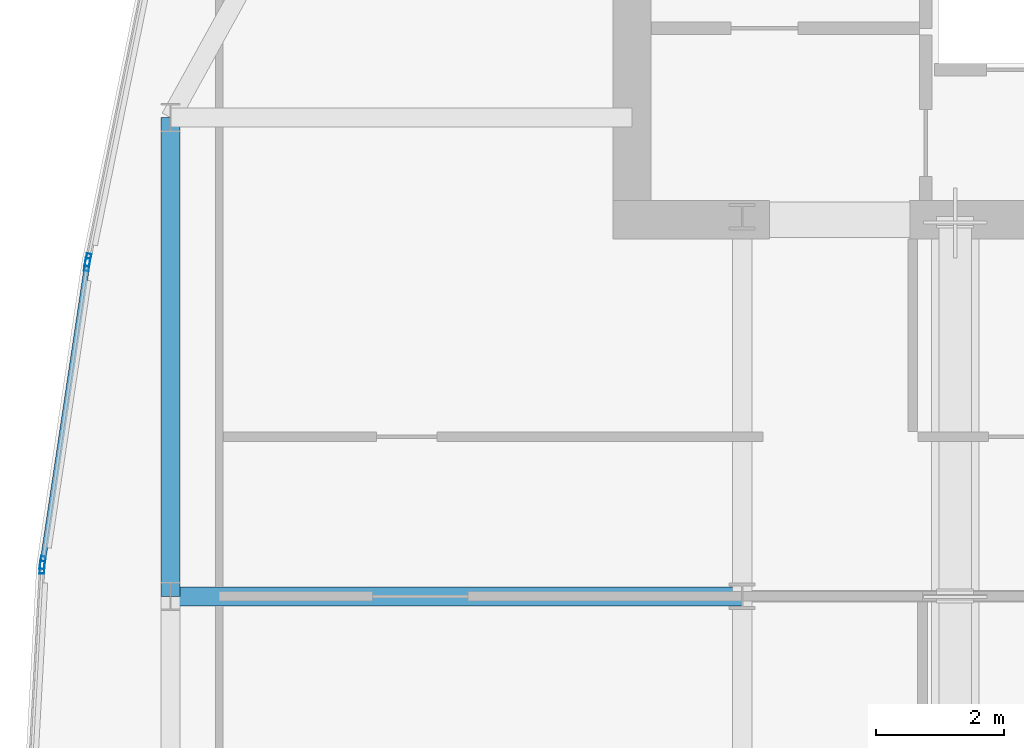
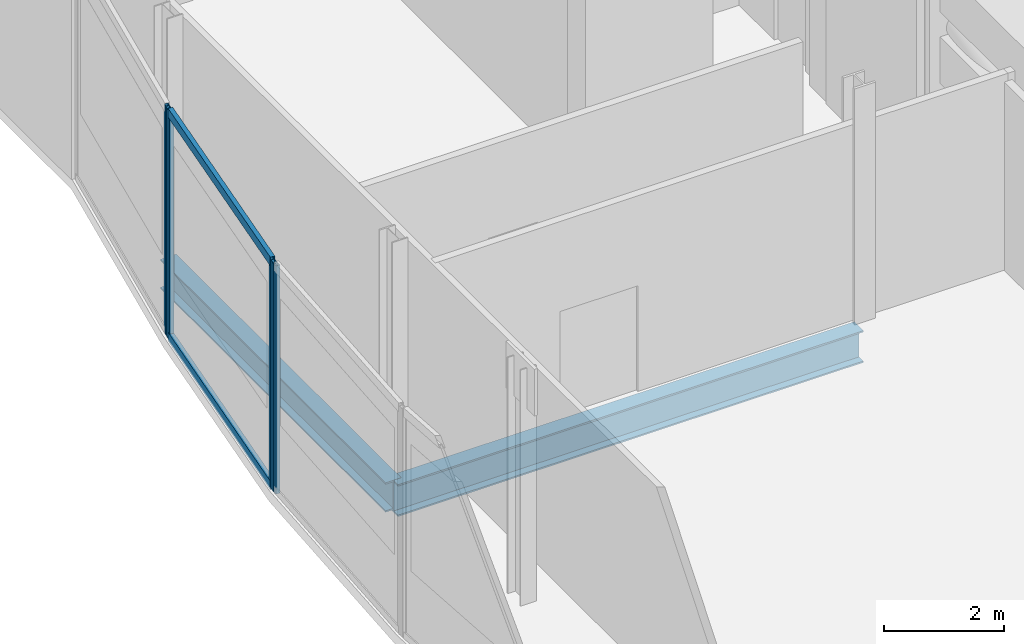
# One storey, part 14 of 32: 6 members, 2 beams, 3 elements without a shape of their own.
"""IFC4 building model written with IfcOpenShell, lengths in metres."""

from ifc_helpers import new_model, si_unit, direction, frame, origin, origin_2d, place, context, subcontext, project, spatial, hollow_rectangle, i_section, extrude, material, material_profile, profile_set, type_object, element, aggregate, save


model = new_model("IFC4")

# Units and contexts
model_context = context("Model", 3, precision=1e-05, world=origin(), true_north=direction((0.0, 1.0)))
body_context = subcontext(model_context, "Body", "Model", "MODEL_VIEW")
ifc_project = project(units=[si_unit("LENGTHUNIT", "METRE"), si_unit("AREAUNIT", "SQUARE_METRE"), si_unit("VOLUMEUNIT", "CUBIC_METRE"), si_unit("PLANEANGLEUNIT", "RADIAN"), si_unit("MASSUNIT", "GRAM", prefix="KILO")], contexts=[model_context])

# Site, building, storey
site_placement = place(None, origin())
site = spatial("IfcSite", under=ifc_project, at=site_placement, CompositionType="ELEMENT")
building_placement = place(site_placement, origin())
building = spatial("IfcBuilding", under=site, at=building_placement, Name="Khoronbel Lancet Exchange", CompositionType="ELEMENT")
storey_placement = place(building_placement, frame((0.0, 0.0, 257.0)))
storey = spatial("IfcBuildingStorey", under=building, at=storey_placement, Name="L66", CompositionType="ELEMENT", Elevation=257.0)

# Beams
ifc_material_1 = material(Name="Steel S355", Category="steel")
ifc_material_profile_1 = material_profile(ifc_material_1, i_section(OverallWidth=0.300048828125, OverallDepth=0.64990234375, WebThickness=0.01611328125, FlangeThickness=0.031005859375, at=origin_2d()), Name="HEB 650")
ifc_profile_set_1 = profile_set([ifc_material_profile_1], Name="Steel S355")
beam_type_1 = type_object("IfcBeamType", Name="BM-BG4", PredefinedType="BEAM", material=ifc_profile_set_1)
beam_1_placement = place(storey_placement, frame((9.27001953125, 35.699951171875, -0.544921875), z_axis=(1.0, 0.0, 0.0), x_axis=(0.0, 1.0, 0.0)))
element("IfcBeam", 1, at=beam_1_placement, inside=storey, type_object=beam_type_1, Name="Level L66 west lens tie girder LG4W", PredefinedType="BEAM", context=body_context, shape_type="SweptSolid", body=[
    extrude(i_section(OverallWidth=0.300048828125, OverallDepth=0.64990234375, WebThickness=0.01611328125, FlangeThickness=0.031005859375, at=origin_2d()), origin(), (0.0, 0.0, 1.0), 8.955078125),
])
ifc_material_profile_2 = material_profile(ifc_material_1, i_section(OverallWidth=0.300048828125, OverallDepth=0.60009765625, WebThickness=0.015380859375, FlangeThickness=0.030029296875, at=origin_2d()), Name="HEB 600")
ifc_profile_set_2 = profile_set([ifc_material_profile_2], Name="Steel S355")
beam_type_2 = type_object("IfcBeamType", Name="BM-BSP2", PredefinedType="SPANDREL", material=ifc_profile_set_2)
beam_2_placement = place(storey_placement, frame((9.27001953125, 43.199951171875, -0.52001953125), z_axis=(0.0, -1.0, 0.0), x_axis=(1.0, 0.0, 0.0)))
element("IfcBeam", 2, at=beam_2_placement, inside=storey, type_object=beam_type_2, Name="Level L66 perimeter spandrel beam SP17", PredefinedType="SPANDREL", context=body_context, shape_type="SweptSolid", body=[
    extrude(i_section(OverallWidth=0.300048828125, OverallDepth=0.60009765625, WebThickness=0.015380859375, FlangeThickness=0.030029296875, at=origin_2d()), origin(), (0.0, 0.0, 1.0), 7.5),
])

# Curtain wall, member
ifc_material_2 = material(Name="Low-E Solar Control Insulating Glass", Category="glass")
curtain_wall_type = type_object("IfcCurtainWallType", Name="CW-4", PredefinedType="NOTDEFINED", material=ifc_material_2)
curtain_wall_1_placement = place(storey_placement, origin())
curtain_wall_1 = element("IfcCurtainWall", 3, at=curtain_wall_1_placement, inside=storey, type_object=curtain_wall_type, Name="Unitised curtain wall CW-L66-E07", PredefinedType="NOTDEFINED")
ifc_material_3 = material(Name="Bronze-Anodised Aluminium 6063-T6", Category="aluminium")
ifc_material_profile_3 = material_profile(ifc_material_3, hollow_rectangle(XDim=0.074951171875, YDim=0.199951171875, WallThickness=0.0048828125, at=origin_2d()), Name="ALU MULLION 75x200")
ifc_profile_set_3 = profile_set([ifc_material_profile_3], Name="Bronze-Anodised Aluminium 6063-T6")
member_type_1 = type_object("IfcMemberType", Name="MEM-CWM2", PredefinedType="MULLION", material=ifc_profile_set_3)
member_1_placement = place(storey_placement, frame((7.257568359375, 36.153564453125, 0.0), z_axis=(0.0, 0.0, 1.0), x_axis=(-0.998506467903, 0.05463363027, 0.0)))
member_1 = element("IfcMember", 4, at=member_1_placement, type_object=member_type_1, Name="CW4 mullion 2", PredefinedType="MULLION", context=body_context, shape_type="SweptSolid", body=[
    extrude(hollow_rectangle(XDim=0.074951171875, YDim=0.199951171875, WallThickness=0.0048828125, at=origin_2d()), origin(), (0.0, 0.0, 1.0), 4.639892578125),
])
aggregate(curtain_wall_1, [member_1])

# Curtain wall, members
curtain_wall_2_placement = place(storey_placement, origin())
curtain_wall_2 = element("IfcCurtainWall", 5, at=curtain_wall_2_placement, inside=storey, type_object=curtain_wall_type, Name="Unitised curtain wall CW-L66-E08", PredefinedType="NOTDEFINED")
member_2_placement = place(storey_placement, frame((7.26513671875, 36.22802734375, 0.0), z_axis=(0.0, 0.0, 1.0), x_axis=(-0.98900689676, 0.147869395619, 0.0)))
member_2 = element("IfcMember", 6, at=member_2_placement, type_object=member_type_1, Name="CW4 mullion 1", PredefinedType="MULLION", context=body_context, shape_type="SweptSolid", body=[
    extrude(hollow_rectangle(XDim=0.074951171875, YDim=0.199951171875, WallThickness=0.0048828125, at=origin_2d()), origin(), (0.0, 0.0, 1.0), 4.639892578125),
])
member_3_placement = place(storey_placement, frame((7.963134765625, 40.897216796875, 0.0), z_axis=(0.0, 0.0, 1.0), x_axis=(-0.98900689676, 0.147869395619, 0.0)))
member_3 = element("IfcMember", 7, at=member_3_placement, type_object=member_type_1, Name="CW4 mullion 2", PredefinedType="MULLION", context=body_context, shape_type="SweptSolid", body=[
    extrude(hollow_rectangle(XDim=0.074951171875, YDim=0.199951171875, WallThickness=0.0048828125, at=origin_2d()), origin(), (0.0, 0.0, 1.0), 4.639892578125),
])

# Curtain wall, member
curtain_wall_3_placement = place(storey_placement, origin())
curtain_wall_3 = element("IfcCurtainWall", 8, at=curtain_wall_3_placement, inside=storey, type_object=curtain_wall_type, Name="Unitised curtain wall CW-L66-E09", PredefinedType="NOTDEFINED")
member_4_placement = place(storey_placement, frame((7.976318359375, 40.970947265625, 0.0), z_axis=(0.0, 0.0, 1.0), x_axis=(-0.979785276195, 0.200052024611, 0.0)))
member_4 = element("IfcMember", 9, at=member_4_placement, type_object=member_type_1, Name="CW4 mullion 1", PredefinedType="MULLION", context=body_context, shape_type="SweptSolid", body=[
    extrude(hollow_rectangle(XDim=0.074951171875, YDim=0.199951171875, WallThickness=0.0048828125, at=origin_2d()), origin(), (0.0, 0.0, 1.0), 4.639892578125),
])
aggregate(curtain_wall_3, [member_4])

# Member
ifc_material_profile_4 = material_profile(ifc_material_3, hollow_rectangle(XDim=0.0849609375, YDim=0.179931640625, WallThickness=0.0048828125, at=origin_2d()), Name="ALU TRANSOM 85x180")
ifc_profile_set_4 = profile_set([ifc_material_profile_4], Name="Bronze-Anodised Aluminium 6063-T6")
member_type_2 = type_object("IfcMemberType", Name="MEM-CWT1", PredefinedType="USERDEFINED", material=ifc_profile_set_4)
member_5_placement = place(storey_placement, frame((7.270751953125, 36.26513671875, 0.04248046875), z_axis=(0.147870201811, 0.989006776224, 0.0), x_axis=(-0.989006776224, 0.147870201811, 0.0)))
member_5 = element("IfcMember", 10, at=member_5_placement, type_object=member_type_2, Name="CW4 transom 1.1", ObjectType="TRANSOM", PredefinedType="USERDEFINED", context=body_context, shape_type="SweptSolid", body=[
    extrude(hollow_rectangle(XDim=0.0849609375, YDim=0.179931640625, WallThickness=0.0048828125, at=origin_2d()), origin(), (0.0, 0.0, 1.0), 4.64599609375),
])

member_6_placement = place(storey_placement, frame((7.270751953125, 36.26513671875, 4.597412109375), z_axis=(0.147870201811, 0.989006776224, 0.0), x_axis=(-0.989006776224, 0.147870201811, 0.0)))
member_6 = element("IfcMember", 11, at=member_6_placement, type_object=member_type_2, Name="CW4 transom 1.2", ObjectType="TRANSOM", PredefinedType="USERDEFINED", context=body_context, shape_type="SweptSolid", body=[
    extrude(hollow_rectangle(XDim=0.0849609375, YDim=0.179931640625, WallThickness=0.0048828125, at=origin_2d()), origin(), (0.0, 0.0, 1.0), 4.64599609375),
])

aggregate(curtain_wall_2, [member_2, member_3, member_5, member_6])

save(model, "model.ifc")
